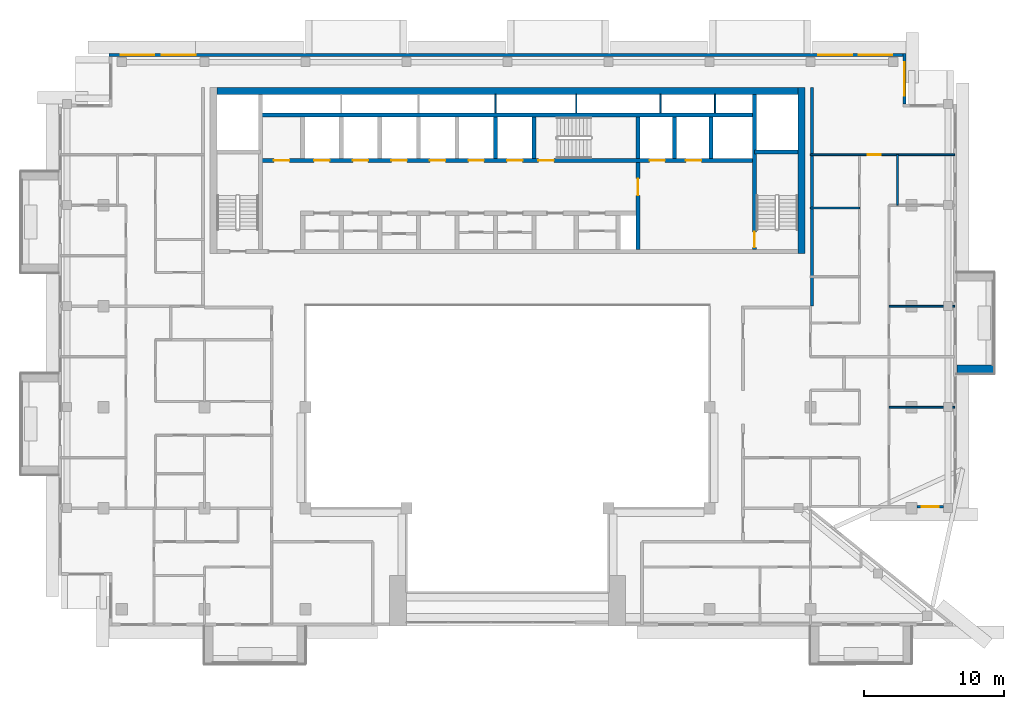
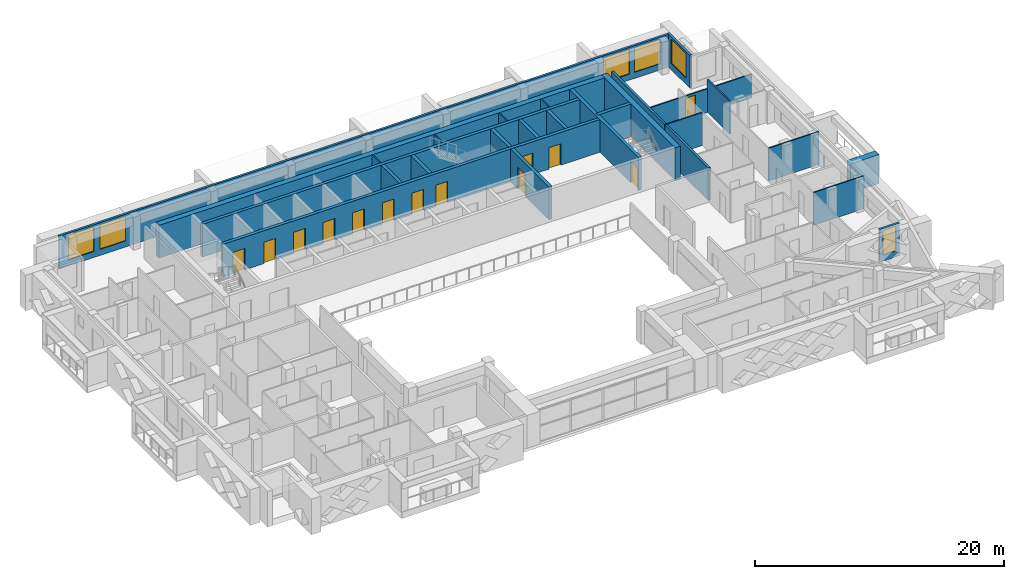
# One storey, part 11 of 19: 26 walls, 13 doors, 6 windows, 19 openings.
"""IFC4 building model written with IfcOpenShell, lengths in metres."""

from ifc_helpers import new_model, si_unit, direction, frame, frame_2d, origin, place, context, subcontext, project, spatial, rectangle, extrude, material, layer, layer_set, type_object, element, fill, save


model = new_model("IFC4")

# Units and contexts
model_context = context("Model", 3, precision=1e-05, world=origin(), true_north=direction((0.0, 1.0)))
body_context = subcontext(model_context, "Body", "Model", "MODEL_VIEW")
ifc_project = project(units=[si_unit("LENGTHUNIT", "METRE"), si_unit("AREAUNIT", "SQUARE_METRE"), si_unit("VOLUMEUNIT", "CUBIC_METRE"), si_unit("PLANEANGLEUNIT", "RADIAN"), si_unit("MASSUNIT", "GRAM", prefix="KILO")], contexts=[model_context])

# Site, building, storey
site_placement = place(None, origin())
site = spatial("IfcSite", under=ifc_project, at=site_placement, CompositionType="ELEMENT")
building_placement = place(site_placement, origin())
building = spatial("IfcBuilding", under=site, at=building_placement, Name="Saffron Iwan Residences", CompositionType="ELEMENT")
storey_placement = place(building_placement, frame((0.0, 0.0, 243.0)))
storey = spatial("IfcBuildingStorey", under=building, at=storey_placement, Name="L65", CompositionType="ELEMENT", Elevation=243.0)

# Wall
ifc_material_1 = material(Name="Concrete C50/60 white painted", Category="concrete")
ifc_layer_1 = layer(ifc_material_1, 0.60009765625)
ifc_layer_set_1 = layer_set([ifc_layer_1], Name="Concrete C50/60 white painted")
wall_type_1 = type_object("IfcWallType", Name="BALCONY FIN 600", PredefinedType="SOLIDWALL", material=ifc_layer_set_1)
wall_1_placement = place(storey_placement, frame((82.449951171875, 57.89990234375, 0.0), z_axis=(0.0, 0.0, 1.0), x_axis=(1.0, 0.0, 0.0)))
element("IfcWall", 1, at=wall_1_placement, inside=storey, type_object=wall_type_1, Name="Balcony fin L65 F2-0a", PredefinedType="SOLIDWALL", context=body_context, shape_type="SweptSolid", body=[
    extrude(rectangle(XDim=2.650146484375, YDim=0.60009765625, at=frame_2d((1.3251953125, 0.0))), origin(), (0.0, 0.0, 1.0), 2.85009765625),
])

# Wall, opening, window
ifc_material_2 = material(Name="Concrete C40/50", Category="concrete")
ifc_layer_2 = layer(ifc_material_2, 0.199951171875)
ifc_layer_set_2 = layer_set([ifc_layer_2], Name="Concrete C40/50")
wall_type_2 = type_object("IfcWallType", Name="EXTERNAL WALL 200", PredefinedType="SOLIDWALL", material=ifc_layer_set_2)
wall_2_placement = place(storey_placement, frame((79.60009765625, 48.10009765625, 0.0), z_axis=(0.0, 0.0, 1.0), x_axis=(1.0, 0.0, 0.0)))
wall_2 = element("IfcWall", 2, at=wall_2_placement, inside=storey, type_object=wall_type_2, Name="External wall L65 F1.1", PredefinedType="SOLIDWALL", context=body_context, shape_type="SweptSolid", body=[
    extrude(rectangle(XDim=1.875, YDim=0.199951171875, at=frame_2d((0.9375, 0.0))), origin(), (0.0, 0.0, 1.0), 3.219970703125),
])
opening_1_placement = place(wall_2_placement, frame((0.33740234375, 0.0, 0.60009765625)))
opening_1 = element("IfcOpeningElement", 3, at=opening_1_placement, cuts=wall_2, Name="Opening W3", PredefinedType="OPENING", context=body_context, shape_type="SweptSolid", body=[
    extrude(rectangle(XDim=1.199951171875, YDim=2.39990234375, at=frame_2d((0.60009765625, 1.199951171875))), frame((0.0, 0.10986328125, 0.0), z_axis=(0.0, -1.0, 0.0), x_axis=(1.0, 0.0, 0.0)), (0.0, 0.0, 1.0), 0.219970703125),
])
ifc_material_3 = material(Name="Clear glass, laminated double glazed", Category="glass")
window_type_1 = type_object("IfcWindowType", Name="WINDOW 1200 x 2400", PartitioningType="SINGLE_PANEL", PredefinedType="WINDOW", material=ifc_material_3)
window_1_placement = place(opening_1_placement, origin())
window_1 = element("IfcWindow", 4, at=window_1_placement, inside=storey, type_object=window_type_1, Name="Window L65 F1.0", OverallHeight=2.39990234375, OverallWidth=1.199951171875, PartitioningType="SINGLE_PANEL", PredefinedType="WINDOW", context=body_context, shape_type="SweptSolid", body=[
    extrude(rectangle(XDim=1.199951171875, YDim=2.39990234375, at=frame_2d((0.60009765625, 1.199951171875))), frame((0.0, 0.030029296875, 0.0), z_axis=(0.0, -1.0, 0.0), x_axis=(1.0, 0.0, 0.0)), (0.0, 0.0, 1.0), 0.06005859375),
])
fill(opening_1, window_1)

wall_3_placement = place(storey_placement, frame((78.699951171875, 76.800048828125, 0.0), z_axis=(0.0, 0.0, 1.0), x_axis=(0.0, 1.0, 0.0)))
wall_3 = element("IfcWall", 5, at=wall_3_placement, inside=storey, type_object=wall_type_2, Name="External wall L65 F4.0", PredefinedType="SOLIDWALL", context=body_context, shape_type="SweptSolid", body=[
    extrude(rectangle(XDim=3.599853515625, YDim=0.199951171875, at=frame_2d((1.7998046875, 0.0))), origin(), (0.0, 0.0, 1.0), 3.219970703125),
])
opening_2_placement = place(wall_3_placement, frame((0.60009765625, 0.0, 0.60009765625)))
opening_2 = element("IfcOpeningElement", 6, at=opening_2_placement, cuts=wall_3, Name="Opening W1", PredefinedType="OPENING", context=body_context, shape_type="SweptSolid", body=[
    extrude(rectangle(XDim=2.39990234375, YDim=2.39990234375, at=frame_2d((1.199951171875, 1.199951171875))), frame((0.0, 0.10986328125, 0.0), z_axis=(0.0, -1.0, 0.0), x_axis=(1.0, 0.0, 0.0)), (0.0, 0.0, 1.0), 0.219970703125),
])
window_type_2 = type_object("IfcWindowType", Name="WINDOW 2400 x 2400", PartitioningType="DOUBLE_PANEL_VERTICAL", PredefinedType="WINDOW", material=ifc_material_3)
window_2_placement = place(opening_2_placement, origin())
window_2 = element("IfcWindow", 7, at=window_2_placement, inside=storey, type_object=window_type_2, Name="Window L65 F4.0", OverallHeight=2.39990234375, OverallWidth=2.39990234375, PartitioningType="DOUBLE_PANEL_VERTICAL", PredefinedType="WINDOW", context=body_context, shape_type="SweptSolid", body=[
    extrude(rectangle(XDim=2.39990234375, YDim=2.39990234375, at=frame_2d((1.199951171875, 1.199951171875))), frame((0.0, 0.030029296875, 0.0), z_axis=(0.0, -1.0, 0.0), x_axis=(1.0, 0.0, 0.0)), (0.0, 0.0, 1.0), 0.06005859375),
])
fill(opening_2, window_2)

# Wall, openings, windows
wall_4_placement = place(storey_placement, frame((78.60009765625, 80.300048828125, 0.0), z_axis=(0.0, 0.0, 1.0), x_axis=(-1.0, 0.0, 0.0)))
wall_4 = element("IfcWall", 8, at=wall_4_placement, inside=storey, type_object=wall_type_2, Name="External wall L65 F5.0", PredefinedType="SOLIDWALL", context=body_context, shape_type="SweptSolid", body=[
    extrude(rectangle(XDim=56.60009765625, YDim=0.199951171875, at=frame_2d((28.300048828125, 0.0))), origin(), (0.0, 0.0, 1.0), 3.219970703125),
])
opening_3_placement = place(wall_4_placement, frame((50.433349609375, 0.0, 0.60009765625)))
opening_3 = element("IfcOpeningElement", 9, at=opening_3_placement, cuts=wall_4, Name="Opening W1", PredefinedType="OPENING", context=body_context, shape_type="SweptSolid", body=[
    extrude(rectangle(XDim=2.39990234375, YDim=2.39990234375, at=frame_2d((1.199951171875, 1.199951171875))), frame((0.0, 0.10986328125, 0.0), z_axis=(0.0, -1.0, 0.0), x_axis=(1.0, 0.0, 0.0)), (0.0, 0.0, 1.0), 0.219970703125),
])
opening_4_placement = place(wall_4_placement, frame((53.36669921875, 0.0, 0.60009765625)))
opening_4 = element("IfcOpeningElement", 10, at=opening_4_placement, cuts=wall_4, Name="Opening W1", PredefinedType="OPENING", context=body_context, shape_type="SweptSolid", body=[
    extrude(rectangle(XDim=2.39990234375, YDim=2.39990234375, at=frame_2d((1.199951171875, 1.199951171875))), frame((0.0, 0.10986328125, 0.0), z_axis=(0.0, -1.0, 0.0), x_axis=(1.0, 0.0, 0.0)), (0.0, 0.0, 1.0), 0.219970703125),
])
opening_5_placement = place(wall_4_placement, frame((0.7666015625, 0.0, 0.60009765625)))
opening_5 = element("IfcOpeningElement", 11, at=opening_5_placement, cuts=wall_4, Name="Opening W1", PredefinedType="OPENING", context=body_context, shape_type="SweptSolid", body=[
    extrude(rectangle(XDim=2.39990234375, YDim=2.39990234375, at=frame_2d((1.199951171875, 1.199951171875))), frame((0.0, 0.10986328125, 0.0), z_axis=(0.0, -1.0, 0.0), x_axis=(1.0, 0.0, 0.0)), (0.0, 0.0, 1.0), 0.219970703125),
])
opening_6_placement = place(wall_4_placement, frame((3.63330078125, 0.0, 0.60009765625)))
opening_6 = element("IfcOpeningElement", 12, at=opening_6_placement, cuts=wall_4, Name="Opening W1", PredefinedType="OPENING", context=body_context, shape_type="SweptSolid", body=[
    extrude(rectangle(XDim=2.39990234375, YDim=2.39990234375, at=frame_2d((1.199951171875, 1.199951171875))), frame((0.0, 0.10986328125, 0.0), z_axis=(0.0, -1.0, 0.0), x_axis=(1.0, 0.0, 0.0)), (0.0, 0.0, 1.0), 0.219970703125),
])
window_3_placement = place(opening_3_placement, origin())
window_3 = element("IfcWindow", 13, at=window_3_placement, inside=storey, type_object=window_type_2, Name="Window L65 F5.0", OverallHeight=2.39990234375, OverallWidth=2.39990234375, PartitioningType="DOUBLE_PANEL_VERTICAL", PredefinedType="WINDOW", context=body_context, shape_type="SweptSolid", body=[
    extrude(rectangle(XDim=2.39990234375, YDim=2.39990234375, at=frame_2d((1.199951171875, 1.199951171875))), frame((0.0, 0.030029296875, 0.0), z_axis=(0.0, -1.0, 0.0), x_axis=(1.0, 0.0, 0.0)), (0.0, 0.0, 1.0), 0.06005859375),
])
fill(opening_3, window_3)
window_4_placement = place(opening_4_placement, origin())
window_4 = element("IfcWindow", 14, at=window_4_placement, inside=storey, type_object=window_type_2, Name="Window L65 F5.1", OverallHeight=2.39990234375, OverallWidth=2.39990234375, PartitioningType="DOUBLE_PANEL_VERTICAL", PredefinedType="WINDOW", context=body_context, shape_type="SweptSolid", body=[
    extrude(rectangle(XDim=2.39990234375, YDim=2.39990234375, at=frame_2d((1.199951171875, 1.199951171875))), frame((0.0, 0.030029296875, 0.0), z_axis=(0.0, -1.0, 0.0), x_axis=(1.0, 0.0, 0.0)), (0.0, 0.0, 1.0), 0.06005859375),
])
fill(opening_4, window_4)
window_5_placement = place(opening_5_placement, origin())
window_5 = element("IfcWindow", 15, at=window_5_placement, inside=storey, type_object=window_type_2, Name="Window L65 F5.2", OverallHeight=2.39990234375, OverallWidth=2.39990234375, PartitioningType="DOUBLE_PANEL_VERTICAL", PredefinedType="WINDOW", context=body_context, shape_type="SweptSolid", body=[
    extrude(rectangle(XDim=2.39990234375, YDim=2.39990234375, at=frame_2d((1.199951171875, 1.199951171875))), frame((0.0, 0.030029296875, 0.0), z_axis=(0.0, -1.0, 0.0), x_axis=(1.0, 0.0, 0.0)), (0.0, 0.0, 1.0), 0.06005859375),
])
fill(opening_5, window_5)
window_6_placement = place(opening_6_placement, origin())
window_6 = element("IfcWindow", 16, at=window_6_placement, inside=storey, type_object=window_type_2, Name="Window L65 F5.3", OverallHeight=2.39990234375, OverallWidth=2.39990234375, PartitioningType="DOUBLE_PANEL_VERTICAL", PredefinedType="WINDOW", context=body_context, shape_type="SweptSolid", body=[
    extrude(rectangle(XDim=2.39990234375, YDim=2.39990234375, at=frame_2d((1.199951171875, 1.199951171875))), frame((0.0, 0.030029296875, 0.0), z_axis=(0.0, -1.0, 0.0), x_axis=(1.0, 0.0, 0.0)), (0.0, 0.0, 1.0), 0.06005859375),
])
fill(opening_6, window_6)

# Walls
ifc_material_4 = material(Name="Gypsum board partition")
ifc_layer_3 = layer(ifc_material_4, 0.1201171875)
ifc_layer_set_3 = layer_set([ifc_layer_3], Name="Gypsum board partition")
wall_type_3 = type_object("IfcWallType", Name="Flat partition 120", PredefinedType="PARTITIONING", material=ifc_layer_set_3)
for number, where, z_axis, x_axis, name in (
    (17, (77.60009765625, 55.199951171875, 0.0), (0.0, 0.0, 1.0), (1.0, 0.0, 0.0), "W-L65-PART-h55.2-77.6"),
    (18, (77.60009765625, 62.39990234375, 0.0), (0.0, 0.0, 1.0), (1.0, 0.0, 0.0), "W-L65-PART-h62.4-77.6"),
):
    element("IfcWall", number, at=place(storey_placement, frame(where, z_axis=z_axis, x_axis=x_axis)), inside=storey, type_object=wall_type_3, Name=name, PredefinedType="PARTITIONING", context=body_context, shape_type="SweptSolid", body=[
        extrude(rectangle(XDim=4.6748046875, YDim=0.1201171875, at=frame_2d((2.33740234375, 0.0))), origin(), (0.0, 0.0, 1.0), 3.219970703125),
    ])
wall_5_placement = place(storey_placement, frame((72.0, 69.39990234375, 0.0), z_axis=(0.0, 0.0, 1.0), x_axis=(1.0, 0.0, 0.0)))
element("IfcWall", 19, at=wall_5_placement, inside=storey, type_object=wall_type_3, Name="W-L65-PART-h69.4-72", PredefinedType="PARTITIONING", context=body_context, shape_type="SweptSolid", body=[
    extrude(rectangle(XDim=3.5, YDim=0.1201171875, at=frame_2d((1.75, 0.0))), origin(), (0.0, 0.0, 1.0), 3.219970703125),
])

# Wall, opening, door
wall_6_placement = place(storey_placement, frame((72.0, 73.199951171875, 0.0), z_axis=(0.0, 0.0, 1.0), x_axis=(1.0, 0.0, 0.0)))
wall_6 = element("IfcWall", 20, at=wall_6_placement, inside=storey, type_object=wall_type_3, Name="W-L65-PART-h73.2-72", PredefinedType="PARTITIONING", context=body_context, shape_type="SweptSolid", body=[
    extrude(rectangle(XDim=10.27490234375, YDim=0.1201171875, at=frame_2d((5.137451171875, 0.0))), origin(), (0.0, 0.0, 1.0), 2.320068359375),
])
opening_7_placement = place(wall_6_placement, frame((4.10009765625, 0.0, 0.0)))
opening_7 = element("IfcOpeningElement", 21, at=opening_7_placement, cuts=wall_6, Name="Opening FD2", PredefinedType="OPENING", context=body_context, shape_type="SweptSolid", body=[
    extrude(rectangle(XDim=0.89990234375, YDim=2.10009765625, at=frame_2d((0.449951171875, 1.050048828125))), frame((0.0, 0.070068359375, 0.0), z_axis=(0.0, -1.0, 0.0), x_axis=(1.0, 0.0, 0.0)), (0.0, 0.0, 1.0), 0.14013671875),
])
ifc_material_5 = material(Name="Timber door", Category="wood")
door_type_1 = type_object("IfcDoorType", Name="Flat door 900", OperationType="NOTDEFINED", PredefinedType="DOOR", material=ifc_material_5)
door_1_placement = place(opening_7_placement, origin())
door_1 = element("IfcDoor", 22, at=door_1_placement, inside=storey, type_object=door_type_1, Name="Door L65-036", OperationType="SINGLE_SWING_LEFT", OverallHeight=2.10009765625, OverallWidth=0.89990234375, PredefinedType="DOOR", context=body_context, shape_type="SweptSolid", body=[
    extrude(rectangle(XDim=0.89990234375, YDim=2.10009765625, at=frame_2d((0.449951171875, 1.050048828125))), frame((0.0, 0.02490234375, 0.0), z_axis=(0.0, -1.0, 0.0), x_axis=(1.0, 0.0, 0.0)), (0.0, 0.0, 1.0), 0.050048828125),
])
fill(opening_7, door_1)

# Walls
wall_7_placement = place(storey_placement, frame((78.199951171875, 69.60009765625, 0.0), z_axis=(0.0, 0.0, 1.0), x_axis=(0.0, 1.0, 0.0)))
element("IfcWall", 23, at=wall_7_placement, inside=storey, type_object=wall_type_3, Name="W-L65-PART-v78.2-69.6", PredefinedType="PARTITIONING", context=body_context, shape_type="SweptSolid", body=[
    extrude(rectangle(XDim=3.599853515625, YDim=0.1201171875, at=frame_2d((1.7998046875, 0.0))), origin(), (0.0, 0.0, 1.0), 3.219970703125),
])
ifc_material_6 = material(Name="Fire-rated gypsum board wall")
ifc_layer_4 = layer(ifc_material_6, 0.199951171875)
ifc_layer_set_4 = layer_set([ifc_layer_4], Name="Fire-rated gypsum board wall")
wall_type_4 = type_object("IfcWallType", Name="Gallery wall 200", PredefinedType="SOLIDWALL", material=ifc_layer_set_4)
wall_8_placement = place(storey_placement, frame((72.10009765625, 62.39990234375, 0.0), z_axis=(0.0, 0.0, 1.0), x_axis=(0.0, 1.0, 0.0)))
element("IfcWall", 24, at=wall_8_placement, inside=storey, type_object=wall_type_4, Name="W-L65-CORR-v72-62.4", PredefinedType="SOLIDWALL", context=body_context, shape_type="SweptSolid", body=[
    extrude(rectangle(XDim=15.60009765625, YDim=0.199951171875, at=frame_2d((7.800048828125, 0.0))), origin(), (0.0, 0.0, 1.0), 3.219970703125),
])
ifc_material_7 = material(Name="Fire-rated plasterboard partition")
ifc_layer_5 = layer(ifc_material_7, 0.10009765625)
ifc_layer_set_5 = layer_set([ifc_layer_5], Name="Fire-rated plasterboard partition")
wall_type_5 = type_object("IfcWallType", Name="Riser partition 100", PredefinedType="PARTITIONING", material=ifc_layer_set_5)
for number, where, z_axis, x_axis, name in (
    (25, (49.550048828125, 76.175048828125, 0.0), (0.0, 0.0, 1.0), (0.0, 1.0, 0.0), "Core partition P09"),
    (26, (55.300048828125, 76.175048828125, 0.0), (0.0, 0.0, 1.0), (0.0, 1.0, 0.0), "Core partition P10"),
    (27, (61.300048828125, 76.175048828125, 0.0), (0.0, 0.0, 1.0), (0.0, 1.0, 0.0), "Core partition P11"),
    (28, (65.199951171875, 76.175048828125, 0.0), (0.0, 0.0, 1.0), (0.0, 1.0, 0.0), "Core partition P12"),
):
    element("IfcWall", number, at=place(storey_placement, frame(where, z_axis=z_axis, x_axis=x_axis)), inside=storey, type_object=wall_type_5, Name=name, PredefinedType="PARTITIONING", context=body_context, shape_type="SweptSolid", body=[
        extrude(rectangle(XDim=1.324951171875, YDim=0.10009765625, at=frame_2d((0.66259765625, 0.0))), origin(), (0.0, 0.0, 1.0), 3.219970703125),
    ])

# Wall, openings, doors
ifc_layer_6 = layer(ifc_material_2, 0.300048828125)
ifc_layer_set_6 = layer_set([ifc_layer_6], Name="Concrete C40/50")
wall_type_6 = type_object("IfcWallType", Name="WALL CORE 300 C40/50 3220 HIGH", PredefinedType="SHEAR", material=ifc_layer_set_6)
wall_9_placement = place(storey_placement, frame((32.800048828125, 72.77490234375, 0.0), z_axis=(0.0, 0.0, 1.0), x_axis=(1.0, 0.0, 0.0)))
wall_9 = element("IfcWall", 29, at=wall_9_placement, inside=storey, type_object=wall_type_6, Name="Core wall", PredefinedType="SHEAR", context=body_context, shape_type="SweptSolid", body=[
    extrude(rectangle(XDim=35.199951171875, YDim=0.300048828125, at=frame_2d((17.60009765625, 0.0))), origin(), (0.0, 0.0, 1.0), 3.219970703125),
])
opening_8_placement = place(wall_9_placement, frame((19.800048828125, 0.0, 0.0)))
opening_8 = element("IfcOpeningElement", 30, at=opening_8_placement, cuts=wall_9, Name="Opening SD", PredefinedType="OPENING", context=body_context, shape_type="SweptSolid", body=[
    extrude(rectangle(XDim=1.10009765625, YDim=2.10009765625, at=frame_2d((0.550048828125, 1.050048828125))), frame((0.0, 0.16015625, 0.0), z_axis=(0.0, -1.0, 0.0), x_axis=(1.0, 0.0, 0.0)), (0.0, 0.0, 1.0), 0.320068359375),
])
opening_9_placement = place(wall_9_placement, frame((27.72509765625, 0.0, 0.0)))
opening_9 = element("IfcOpeningElement", 31, at=opening_9_placement, cuts=wall_9, Name="Opening LD", PredefinedType="OPENING", context=body_context, shape_type="SweptSolid", body=[
    extrude(rectangle(XDim=1.10009765625, YDim=2.10009765625, at=frame_2d((0.550048828125, 1.050048828125))), frame((0.0, 0.16015625, 0.0), z_axis=(0.0, -1.0, 0.0), x_axis=(1.0, 0.0, 0.0)), (0.0, 0.0, 1.0), 0.320068359375),
])
opening_10_placement = place(wall_9_placement, frame((30.324951171875, 0.0, 0.0)))
opening_10 = element("IfcOpeningElement", 32, at=opening_10_placement, cuts=wall_9, Name="Opening LD", PredefinedType="OPENING", context=body_context, shape_type="SweptSolid", body=[
    extrude(rectangle(XDim=1.10009765625, YDim=2.10009765625, at=frame_2d((0.550048828125, 1.050048828125))), frame((0.0, 0.16015625, 0.0), z_axis=(0.0, -1.0, 0.0), x_axis=(1.0, 0.0, 0.0)), (0.0, 0.0, 1.0), 0.320068359375),
])
opening_11_placement = place(wall_9_placement, frame((3.824951171875, 0.0, 0.0)))
opening_11 = element("IfcOpeningElement", 33, at=opening_11_placement, cuts=wall_9, Name="Opening LD", PredefinedType="OPENING", context=body_context, shape_type="SweptSolid", body=[
    extrude(rectangle(XDim=1.10009765625, YDim=2.10009765625, at=frame_2d((0.550048828125, 1.050048828125))), frame((0.0, 0.16015625, 0.0), z_axis=(0.0, -1.0, 0.0), x_axis=(1.0, 0.0, 0.0)), (0.0, 0.0, 1.0), 0.320068359375),
])
opening_12_placement = place(wall_9_placement, frame((6.574951171875, 0.0, 0.0)))
opening_12 = element("IfcOpeningElement", 34, at=opening_12_placement, cuts=wall_9, Name="Opening LD", PredefinedType="OPENING", context=body_context, shape_type="SweptSolid", body=[
    extrude(rectangle(XDim=1.10009765625, YDim=2.10009765625, at=frame_2d((0.550048828125, 1.050048828125))), frame((0.0, 0.16015625, 0.0), z_axis=(0.0, -1.0, 0.0), x_axis=(1.0, 0.0, 0.0)), (0.0, 0.0, 1.0), 0.320068359375),
])
opening_13_placement = place(wall_9_placement, frame((9.324951171875, 0.0, 0.0)))
opening_13 = element("IfcOpeningElement", 35, at=opening_13_placement, cuts=wall_9, Name="Opening LD", PredefinedType="OPENING", context=body_context, shape_type="SweptSolid", body=[
    extrude(rectangle(XDim=1.10009765625, YDim=2.10009765625, at=frame_2d((0.550048828125, 1.050048828125))), frame((0.0, 0.16015625, 0.0), z_axis=(0.0, -1.0, 0.0), x_axis=(1.0, 0.0, 0.0)), (0.0, 0.0, 1.0), 0.320068359375),
])
opening_14_placement = place(wall_9_placement, frame((12.074951171875, 0.0, 0.0)))
opening_14 = element("IfcOpeningElement", 36, at=opening_14_placement, cuts=wall_9, Name="Opening LD", PredefinedType="OPENING", context=body_context, shape_type="SweptSolid", body=[
    extrude(rectangle(XDim=1.10009765625, YDim=2.10009765625, at=frame_2d((0.550048828125, 1.050048828125))), frame((0.0, 0.16015625, 0.0), z_axis=(0.0, -1.0, 0.0), x_axis=(1.0, 0.0, 0.0)), (0.0, 0.0, 1.0), 0.320068359375),
])
opening_15_placement = place(wall_9_placement, frame((14.824951171875, 0.0, 0.0)))
opening_15 = element("IfcOpeningElement", 37, at=opening_15_placement, cuts=wall_9, Name="Opening LD", PredefinedType="OPENING", context=body_context, shape_type="SweptSolid", body=[
    extrude(rectangle(XDim=1.10009765625, YDim=2.10009765625, at=frame_2d((0.550048828125, 1.050048828125))), frame((0.0, 0.16015625, 0.0), z_axis=(0.0, -1.0, 0.0), x_axis=(1.0, 0.0, 0.0)), (0.0, 0.0, 1.0), 0.320068359375),
])
opening_16_placement = place(wall_9_placement, frame((17.574951171875, 0.0, 0.0)))
opening_16 = element("IfcOpeningElement", 38, at=opening_16_placement, cuts=wall_9, Name="Opening LD", PredefinedType="OPENING", context=body_context, shape_type="SweptSolid", body=[
    extrude(rectangle(XDim=1.10009765625, YDim=2.10009765625, at=frame_2d((0.550048828125, 1.050048828125))), frame((0.0, 0.16015625, 0.0), z_axis=(0.0, -1.0, 0.0), x_axis=(1.0, 0.0, 0.0)), (0.0, 0.0, 1.0), 0.320068359375),
])
opening_17_placement = place(wall_9_placement, frame((0.949951171875, 0.0, 0.0)))
opening_17 = element("IfcOpeningElement", 39, at=opening_17_placement, cuts=wall_9, Name="Opening SR", PredefinedType="OPENING", context=body_context, shape_type="SweptSolid", body=[
    extrude(rectangle(XDim=1.10009765625, YDim=2.10009765625, at=frame_2d((0.550048828125, 1.050048828125))), frame((0.0, 0.16015625, 0.0), z_axis=(0.0, -1.0, 0.0), x_axis=(1.0, 0.0, 0.0)), (0.0, 0.0, 1.0), 0.320068359375),
])
ifc_material_8 = material(Name="Steel fire door", Category="steel")
door_type_2 = type_object("IfcDoorType", Name="Lift landing door 1100", OperationType="SLIDING_TO_LEFT", PredefinedType="DOOR", material=ifc_material_8)
door_2_placement = place(opening_9_placement, origin())
door_2 = element("IfcDoor", 40, at=door_2_placement, inside=storey, type_object=door_type_2, Name="Landing doors FF1", OperationType="SLIDING_TO_LEFT", OverallHeight=2.10009765625, OverallWidth=1.10009765625, PredefinedType="DOOR", context=body_context, shape_type="SweptSolid", body=[
    extrude(rectangle(XDim=1.10009765625, YDim=2.10009765625, at=frame_2d((0.550048828125, 1.050048828125))), frame((0.0, 0.02490234375, 0.0), z_axis=(0.0, -1.0, 0.0), x_axis=(1.0, 0.0, 0.0)), (0.0, 0.0, 1.0), 0.050048828125),
])
fill(opening_9, door_2)
door_3_placement = place(opening_10_placement, origin())
door_3 = element("IfcDoor", 41, at=door_3_placement, inside=storey, type_object=door_type_2, Name="Landing doors FF2", OperationType="SLIDING_TO_LEFT", OverallHeight=2.10009765625, OverallWidth=1.10009765625, PredefinedType="DOOR", context=body_context, shape_type="SweptSolid", body=[
    extrude(rectangle(XDim=1.10009765625, YDim=2.10009765625, at=frame_2d((0.550048828125, 1.050048828125))), frame((0.0, 0.02490234375, 0.0), z_axis=(0.0, -1.0, 0.0), x_axis=(1.0, 0.0, 0.0)), (0.0, 0.0, 1.0), 0.050048828125),
])
fill(opening_10, door_3)
door_4_placement = place(opening_11_placement, origin())
door_4 = element("IfcDoor", 42, at=door_4_placement, inside=storey, type_object=door_type_2, Name="Landing doors HR1", OperationType="SLIDING_TO_LEFT", OverallHeight=2.10009765625, OverallWidth=1.10009765625, PredefinedType="DOOR", context=body_context, shape_type="SweptSolid", body=[
    extrude(rectangle(XDim=1.10009765625, YDim=2.10009765625, at=frame_2d((0.550048828125, 1.050048828125))), frame((0.0, 0.02490234375, 0.0), z_axis=(0.0, -1.0, 0.0), x_axis=(1.0, 0.0, 0.0)), (0.0, 0.0, 1.0), 0.050048828125),
])
fill(opening_11, door_4)
door_5_placement = place(opening_12_placement, origin())
door_5 = element("IfcDoor", 43, at=door_5_placement, inside=storey, type_object=door_type_2, Name="Landing doors HR2", OperationType="SLIDING_TO_LEFT", OverallHeight=2.10009765625, OverallWidth=1.10009765625, PredefinedType="DOOR", context=body_context, shape_type="SweptSolid", body=[
    extrude(rectangle(XDim=1.10009765625, YDim=2.10009765625, at=frame_2d((0.550048828125, 1.050048828125))), frame((0.0, 0.02490234375, 0.0), z_axis=(0.0, -1.0, 0.0), x_axis=(1.0, 0.0, 0.0)), (0.0, 0.0, 1.0), 0.050048828125),
])
fill(opening_12, door_5)
door_6_placement = place(opening_13_placement, origin())
door_6 = element("IfcDoor", 44, at=door_6_placement, inside=storey, type_object=door_type_2, Name="Landing doors HR3", OperationType="SLIDING_TO_LEFT", OverallHeight=2.10009765625, OverallWidth=1.10009765625, PredefinedType="DOOR", context=body_context, shape_type="SweptSolid", body=[
    extrude(rectangle(XDim=1.10009765625, YDim=2.10009765625, at=frame_2d((0.550048828125, 1.050048828125))), frame((0.0, 0.02490234375, 0.0), z_axis=(0.0, -1.0, 0.0), x_axis=(1.0, 0.0, 0.0)), (0.0, 0.0, 1.0), 0.050048828125),
])
fill(opening_13, door_6)
door_7_placement = place(opening_14_placement, origin())
door_7 = element("IfcDoor", 45, at=door_7_placement, inside=storey, type_object=door_type_2, Name="Landing doors HR4", OperationType="SLIDING_TO_LEFT", OverallHeight=2.10009765625, OverallWidth=1.10009765625, PredefinedType="DOOR", context=body_context, shape_type="SweptSolid", body=[
    extrude(rectangle(XDim=1.10009765625, YDim=2.10009765625, at=frame_2d((0.550048828125, 1.050048828125))), frame((0.0, 0.02490234375, 0.0), z_axis=(0.0, -1.0, 0.0), x_axis=(1.0, 0.0, 0.0)), (0.0, 0.0, 1.0), 0.050048828125),
])
fill(opening_14, door_7)
door_8_placement = place(opening_15_placement, origin())
door_8 = element("IfcDoor", 46, at=door_8_placement, inside=storey, type_object=door_type_2, Name="Landing doors HR5", OperationType="SLIDING_TO_LEFT", OverallHeight=2.10009765625, OverallWidth=1.10009765625, PredefinedType="DOOR", context=body_context, shape_type="SweptSolid", body=[
    extrude(rectangle(XDim=1.10009765625, YDim=2.10009765625, at=frame_2d((0.550048828125, 1.050048828125))), frame((0.0, 0.02490234375, 0.0), z_axis=(0.0, -1.0, 0.0), x_axis=(1.0, 0.0, 0.0)), (0.0, 0.0, 1.0), 0.050048828125),
])
fill(opening_15, door_8)
door_9_placement = place(opening_16_placement, origin())
door_9 = element("IfcDoor", 47, at=door_9_placement, inside=storey, type_object=door_type_2, Name="Landing doors HR6", OperationType="SLIDING_TO_LEFT", OverallHeight=2.10009765625, OverallWidth=1.10009765625, PredefinedType="DOOR", context=body_context, shape_type="SweptSolid", body=[
    extrude(rectangle(XDim=1.10009765625, YDim=2.10009765625, at=frame_2d((0.550048828125, 1.050048828125))), frame((0.0, 0.02490234375, 0.0), z_axis=(0.0, -1.0, 0.0), x_axis=(1.0, 0.0, 0.0)), (0.0, 0.0, 1.0), 0.050048828125),
])
fill(opening_16, door_9)
door_type_3 = type_object("IfcDoorType", Name="Service door 1100", OperationType="NOTDEFINED", PredefinedType="DOOR", material=ifc_material_8)
door_10_placement = place(opening_17_placement, origin())
door_10 = element("IfcDoor", 48, at=door_10_placement, inside=storey, type_object=door_type_3, Name="Door Service room", OperationType="SINGLE_SWING_LEFT", OverallHeight=2.10009765625, OverallWidth=1.10009765625, PredefinedType="DOOR", context=body_context, shape_type="SweptSolid", body=[
    extrude(rectangle(XDim=1.10009765625, YDim=2.10009765625, at=frame_2d((0.550048828125, 1.050048828125))), frame((0.0, 0.02490234375, 0.0), z_axis=(0.0, -1.0, 0.0), x_axis=(1.0, 0.0, 0.0)), (0.0, 0.0, 1.0), 0.050048828125),
])
fill(opening_17, door_10)
door_type_4 = type_object("IfcDoorType", Name="Stair door 1100", OperationType="NOTDEFINED", PredefinedType="DOOR", material=ifc_material_8)
door_11_placement = place(opening_8_placement, origin())
door_11 = element("IfcDoor", 49, at=door_11_placement, inside=storey, type_object=door_type_4, Name="Stair door ST-C", OperationType="SINGLE_SWING_LEFT", OverallHeight=2.10009765625, OverallWidth=1.10009765625, PredefinedType="DOOR", context=body_context, shape_type="SweptSolid", body=[
    extrude(rectangle(XDim=1.10009765625, YDim=2.10009765625, at=frame_2d((0.550048828125, 1.050048828125))), frame((0.0, 0.02490234375, 0.0), z_axis=(0.0, -1.0, 0.0), x_axis=(1.0, 0.0, 0.0)), (0.0, 0.0, 1.0), 0.050048828125),
])
fill(opening_8, door_11)

# Walls
wall_10_placement = place(storey_placement, frame((32.800048828125, 76.02490234375, 0.0), z_axis=(0.0, 0.0, 1.0), x_axis=(1.0, 0.0, 0.0)))
element("IfcWall", 50, at=wall_10_placement, inside=storey, type_object=wall_type_6, Name="Core wall", PredefinedType="SHEAR", context=body_context, shape_type="SweptSolid", body=[
    extrude(rectangle(XDim=35.199951171875, YDim=0.300048828125, at=frame_2d((17.60009765625, 0.0))), origin(), (0.0, 0.0, 1.0), 3.219970703125),
])
wall_11_placement = place(storey_placement, frame((68.0, 73.39990234375, 0.0), z_axis=(0.0, 0.0, 1.0), x_axis=(1.0, 0.0, 0.0)))
element("IfcWall", 51, at=wall_11_placement, inside=storey, type_object=wall_type_6, Name="Core wall", PredefinedType="SHEAR", context=body_context, shape_type="SweptSolid", body=[
    extrude(rectangle(XDim=3.10009765625, YDim=0.300048828125, at=frame_2d((1.550048828125, 0.0))), origin(), (0.0, 0.0, 1.0), 3.219970703125),
])

# Wall, opening, door
wall_12_placement = place(storey_placement, frame((68.0, 66.449951171875, 0.0), z_axis=(0.0, 0.0, 1.0), x_axis=(0.0, 1.0, 0.0)))
wall_12 = element("IfcWall", 52, at=wall_12_placement, inside=storey, type_object=wall_type_6, Name="Core wall", PredefinedType="SHEAR", context=body_context, shape_type="SweptSolid", body=[
    extrude(rectangle(XDim=11.050048828125, YDim=0.300048828125, at=frame_2d((5.52490234375, 0.0))), origin(), (0.0, 0.0, 1.0), 3.219970703125),
])
opening_18_placement = place(wall_12_placement, frame((0.14990234375, 0.0, 0.0)))
opening_18 = element("IfcOpeningElement", 53, at=opening_18_placement, cuts=wall_12, Name="Opening SD", PredefinedType="OPENING", context=body_context, shape_type="SweptSolid", body=[
    extrude(rectangle(XDim=1.10009765625, YDim=2.10009765625, at=frame_2d((0.550048828125, 1.050048828125))), frame((0.0, 0.16015625, 0.0), z_axis=(0.0, -1.0, 0.0), x_axis=(1.0, 0.0, 0.0)), (0.0, 0.0, 1.0), 0.320068359375),
])
door_12_placement = place(opening_18_placement, origin())
door_12 = element("IfcDoor", 54, at=door_12_placement, inside=storey, type_object=door_type_4, Name="Stair door ST-E", OperationType="SINGLE_SWING_RIGHT", OverallHeight=2.10009765625, OverallWidth=1.10009765625, PredefinedType="DOOR", context=body_context, shape_type="SweptSolid", body=[
    extrude(rectangle(XDim=1.10009765625, YDim=2.10009765625, at=frame_2d((0.550048828125, 1.050048828125))), frame((0.0, 0.02490234375, 0.0), z_axis=(0.0, -1.0, 0.0), x_axis=(1.0, 0.0, 0.0)), (0.0, 0.0, 1.0), 0.050048828125),
])
fill(opening_18, door_12)

wall_13_placement = place(storey_placement, frame((59.699951171875, 66.449951171875, 0.0), z_axis=(0.0, 0.0, 1.0), x_axis=(0.0, 1.0, 0.0)))
wall_13 = element("IfcWall", 55, at=wall_13_placement, inside=storey, type_object=wall_type_6, Name="Core wall", PredefinedType="SHEAR", context=body_context, shape_type="SweptSolid", body=[
    extrude(rectangle(XDim=6.175048828125, YDim=0.300048828125, at=frame_2d((3.08740234375, 0.0))), origin(), (0.0, 0.0, 1.0), 3.219970703125),
])
opening_19_placement = place(wall_13_placement, frame((3.85009765625, 0.0, 0.0)))
opening_19 = element("IfcOpeningElement", 56, at=opening_19_placement, cuts=wall_13, Name="Opening FD", PredefinedType="OPENING", context=body_context, shape_type="SweptSolid", body=[
    extrude(rectangle(XDim=1.199951171875, YDim=2.10009765625, at=frame_2d((0.60009765625, 1.050048828125))), frame((0.0, 0.16015625, 0.0), z_axis=(0.0, -1.0, 0.0), x_axis=(1.0, 0.0, 0.0)), (0.0, 0.0, 1.0), 0.320068359375),
])
door_type_5 = type_object("IfcDoorType", Name="Firefighting lobby door 1200", OperationType="NOTDEFINED", PredefinedType="DOOR", material=ifc_material_8)
door_13_placement = place(opening_19_placement, origin())
door_13 = element("IfcDoor", 57, at=door_13_placement, inside=storey, type_object=door_type_5, Name="Firefighting lobby door", OperationType="SINGLE_SWING_LEFT", OverallHeight=2.10009765625, OverallWidth=1.199951171875, PredefinedType="DOOR", context=body_context, shape_type="SweptSolid", body=[
    extrude(rectangle(XDim=1.199951171875, YDim=2.10009765625, at=frame_2d((0.60009765625, 1.050048828125))), frame((0.0, 0.02490234375, 0.0), z_axis=(0.0, -1.0, 0.0), x_axis=(1.0, 0.0, 0.0)), (0.0, 0.0, 1.0), 0.050048828125),
])
fill(opening_19, door_13)

# Walls
for number, where, z_axis, x_axis, name in (
    (58, (59.699951171875, 72.925048828125, 0.0), (0.0, 0.0, 1.0), (0.0, 1.0, 0.0), "Core wall"),
    (59, (49.550048828125, 72.925048828125, 0.0), (0.0, 0.0, 1.0), (0.0, 1.0, 0.0), "Core wall"),
    (60, (52.300048828125, 72.925048828125, 0.0), (0.0, 0.0, 1.0), (0.0, 1.0, 0.0), "Core wall"),
    (61, (62.300048828125, 72.925048828125, 0.0), (0.0, 0.0, 1.0), (0.0, 1.0, 0.0), "Core wall"),
    (62, (64.89990234375, 72.925048828125, 0.0), (0.0, 0.0, 1.0), (0.0, 1.0, 0.0), "Core wall"),
):
    element("IfcWall", number, at=place(storey_placement, frame(where, z_axis=z_axis, x_axis=x_axis)), inside=storey, type_object=wall_type_6, Name=name, PredefinedType="SHEAR", context=body_context, shape_type="SweptSolid", body=[
        extrude(rectangle(XDim=2.949951171875, YDim=0.300048828125, at=frame_2d((1.47509765625, 0.0))), origin(), (0.0, 0.0, 1.0), 3.219970703125),
    ])
ifc_layer_7 = layer(ifc_material_2, 0.5)
ifc_layer_set_7 = layer_set([ifc_layer_7], Name="Concrete C40/50")
wall_type_7 = type_object("IfcWallType", Name="WALL CORE 500 C40/50 3220 HIGH", PredefinedType="SHEAR", material=ifc_layer_set_7)
wall_14_placement = place(storey_placement, frame((71.35009765625, 66.14990234375, 0.0), z_axis=(0.0, 0.0, 1.0), x_axis=(0.0, 1.0, 0.0)))
element("IfcWall", 63, at=wall_14_placement, inside=storey, type_object=wall_type_7, Name="Core wall", PredefinedType="SHEAR", context=body_context, shape_type="SweptSolid", body=[
    extrude(rectangle(XDim=11.85009765625, YDim=0.5, at=frame_2d((5.925048828125, 0.0))), origin(), (0.0, 0.0, 1.0), 3.219970703125),
])
wall_15_placement = place(storey_placement, frame((29.699951171875, 77.75, 0.0), z_axis=(0.0, 0.0, 1.0), x_axis=(1.0, 0.0, 0.0)))
element("IfcWall", 64, at=wall_15_placement, inside=storey, type_object=wall_type_7, Name="Core wall", PredefinedType="SHEAR", context=body_context, shape_type="SweptSolid", body=[
    extrude(rectangle(XDim=41.400146484375, YDim=0.5, at=frame_2d((20.7001953125, 0.0))), origin(), (0.0, 0.0, 1.0), 3.219970703125),
])

save(model, "model.ifc")
